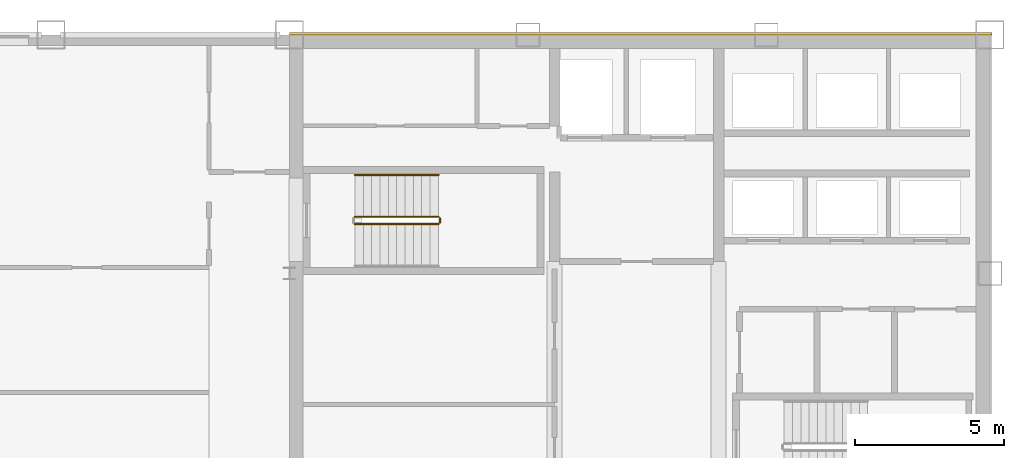
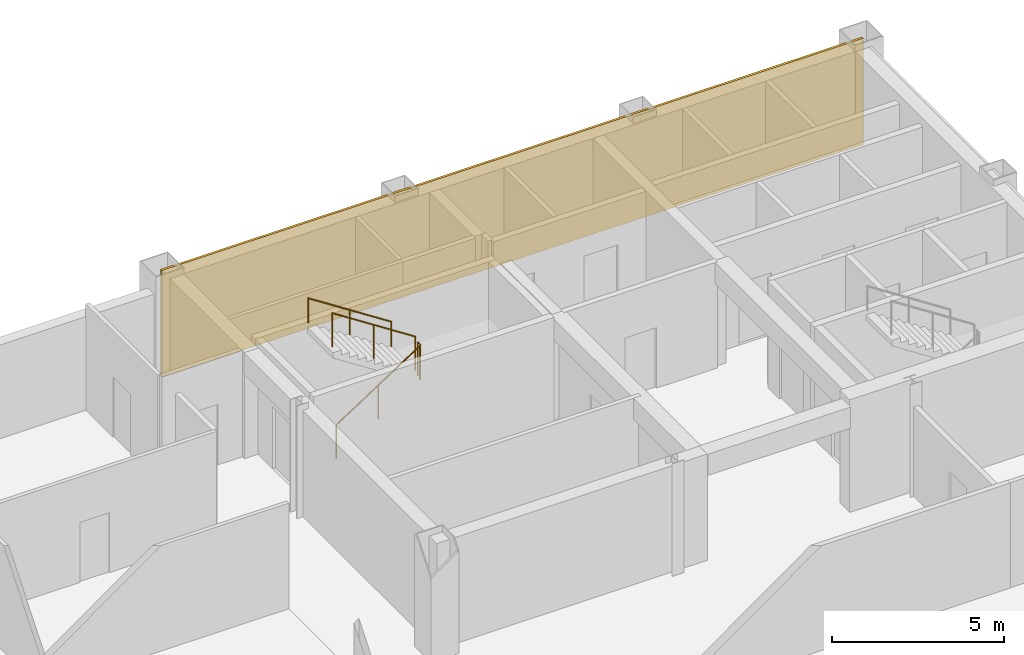
# One storey, part 10 of 10: 4 railings, 1 covering.
"""IFC4 building model written with IfcOpenShell, lengths in metres."""

from ifc_helpers import new_model, si_unit, direction, frame, origin, origin_2d, place, context, subcontext, project, spatial, rectangle, circle, extrude, material, layer, layer_set, type_object, element, save


model = new_model("IFC4")

# Units and contexts
model_context = context("Model", 3, precision=1e-05, world=origin(), true_north=direction((0.0, 1.0)))
body_context = subcontext(model_context, "Body", "Model", "MODEL_VIEW")
ifc_project = project(units=[si_unit("LENGTHUNIT", "METRE"), si_unit("AREAUNIT", "SQUARE_METRE"), si_unit("VOLUMEUNIT", "CUBIC_METRE"), si_unit("PLANEANGLEUNIT", "RADIAN"), si_unit("MASSUNIT", "GRAM", prefix="KILO")], contexts=[model_context])

# Site, building, storey
site_placement = place(None, origin())
site = spatial("IfcSite", under=ifc_project, at=site_placement, CompositionType="ELEMENT")
building_placement = place(site_placement, origin())
building = spatial("IfcBuilding", under=site, at=building_placement, Name="Qianrong Seaharbour Tower", CompositionType="ELEMENT")
storey_placement = place(building_placement, frame((0.0, 0.0, 257.800048828125)))
storey = spatial("IfcBuildingStorey", under=building, at=storey_placement, Name="L62", CompositionType="ELEMENT", Elevation=257.800048828125)

# Covering
ifc_material_1 = material(Name="Unitised red brick cladding on Precast concrete C45/55", Category="masonry")
ifc_layer = layer(ifc_material_1, 0.080078125)
ifc_layer_set = layer_set([ifc_layer], Name="Unitised red brick cladding on Precast concrete C45/55")
covering_type = type_object("IfcCoveringType", Name="COV-CLAD-RED-BRICK-80", PredefinedType="CLADDING", material=ifc_layer_set)
covering_placement = place(storey_placement, frame((52.2900390625, 52.0400390625, 0.0), z_axis=(0.0, 0.0, 1.0), x_axis=(1.0, 0.0, 0.0)))
element("IfcCovering", 1, at=covering_placement, inside=storey, type_object=covering_type, Name="L62 North Core Brick Veneer Cladding", PredefinedType="CLADDING", context=body_context, shape_type="SweptSolid", body=[
    extrude(rectangle(XDim=23.580078125, YDim=0.080078125, at=origin_2d()), origin(), (0.0, 0.0, 1.0), 3.77490234375),
])

# Railings
ifc_material_2 = material(Name="Galvanized painted steel SN400B stair guard", Category="steel")
railing_type_1 = type_object("IfcRailingType", Name="RAIL-STAIR-GUARD-1220", PredefinedType="GUARDRAIL", material=ifc_material_2)
railing_1_placement = place(storey_placement, frame((42.699951171875, 45.64990234375, 0.181884765625)))
element("IfcRailing", 2, at=railing_1_placement, inside=storey, type_object=railing_type_1, Name="L62 ST-1 stair guard 1", PredefinedType="GUARDRAIL", context=body_context, shape_type="SweptSolid", body=[
    extrude(circle(Radius=0.02392578125, at=origin_2d()), frame((0.0, 0.0, 1.19580078125), z_axis=(0.838705829183, 0.0, 0.544584733623), x_axis=(0.0, 1.0, 0.0)), (0.0, 0.0, 1.0), 3.338623046875),
    extrude(circle(Radius=0.02099609375, at=origin_2d()), origin(), (0.0, 0.0, 1.0), 1.171875),
    extrude(circle(Radius=0.02099609375, at=origin_2d()), frame((1.39990234375, 0.0, 0.9091796875)), (0.0, 0.0, 1.0), 1.171875),
    extrude(circle(Radius=0.02099609375, at=origin_2d()), frame((2.800048828125, 0.0, 1.818115234375)), (0.0, 0.0, 1.0), 1.171875),
])
railing_2_placement = place(storey_placement, frame((45.550048828125, 45.699951171875, 2.0)))
element("IfcRailing", 3, at=railing_2_placement, inside=storey, type_object=railing_type_1, Name="L62 ST-1 stair guard 2", PredefinedType="GUARDRAIL", context=body_context, shape_type="SweptSolid", body=[
    extrude(circle(Radius=0.02392578125, at=origin_2d()), frame((0.0, 0.0, 1.19580078125), z_axis=(0.0, 1.0, 0.0), x_axis=(-1.0, 0.0, 0.0)), (0.0, 0.0, 1.0), 0.150146484375),
    extrude(circle(Radius=0.02099609375, at=origin_2d()), origin(), (0.0, 0.0, 1.0), 1.171875),
    extrude(circle(Radius=0.02099609375, at=origin_2d()), frame((0.0, 0.150146484375, 0.0)), (0.0, 0.0, 1.0), 1.171875),
])
railing_3_placement = place(storey_placement, frame((45.5, 45.89990234375, 2.181884765625)))
element("IfcRailing", 4, at=railing_3_placement, inside=storey, type_object=railing_type_1, Name="L62 ST-1 stair guard 3", PredefinedType="GUARDRAIL", context=body_context, shape_type="SweptSolid", body=[
    extrude(circle(Radius=0.02392578125, at=origin_2d()), frame((0.0, 0.0, 1.19580078125), z_axis=(-0.838705829183, 0.0, 0.544584733623), x_axis=(0.0, -1.0, 0.0)), (0.0, 0.0, 1.0), 3.338623046875),
    extrude(circle(Radius=0.02099609375, at=origin_2d()), origin(), (0.0, 0.0, 1.0), 1.171875),
    extrude(circle(Radius=0.02099609375, at=origin_2d()), frame((-1.39990234375, 0.0, 0.9091796875)), (0.0, 0.0, 1.0), 1.171875),
    extrude(circle(Radius=0.02099609375, at=origin_2d()), frame((-2.800048828125, 0.0, 1.818115234375)), (0.0, 0.0, 1.0), 1.171875),
])
ifc_material_3 = material(Name="Stainless steel SUS316L continuous handrail", Category="steel")
railing_type_2 = type_object("IfcRailingType", Name="RAIL-STAIR-HANDRAIL-900", PredefinedType="HANDRAIL", material=ifc_material_3)
railing_4_placement = place(storey_placement, frame((45.5, 47.300048828125, 2.181884765625)))
element("IfcRailing", 5, at=railing_4_placement, inside=storey, type_object=railing_type_2, Name="L62 ST-1 stair handrail 2", PredefinedType="HANDRAIL", context=body_context, shape_type="SweptSolid", body=[
    extrude(circle(Radius=0.02392578125, at=origin_2d()), frame((0.0, 0.0, 0.8759765625), z_axis=(-0.838705829183, 0.0, 0.544584733623), x_axis=(0.0, -1.0, 0.0)), (0.0, 0.0, 1.0), 3.338623046875),
    extrude(circle(Radius=0.02099609375, at=origin_2d()), origin(), (0.0, 0.0, 1.0), 0.851806640625),
    extrude(circle(Radius=0.02099609375, at=origin_2d()), frame((-1.39990234375, 0.0, 0.9091796875)), (0.0, 0.0, 1.0), 0.851806640625),
    extrude(circle(Radius=0.02099609375, at=origin_2d()), frame((-2.800048828125, 0.0, 1.818115234375)), (0.0, 0.0, 1.0), 0.851806640625),
])

save(model, "model.ifc")
